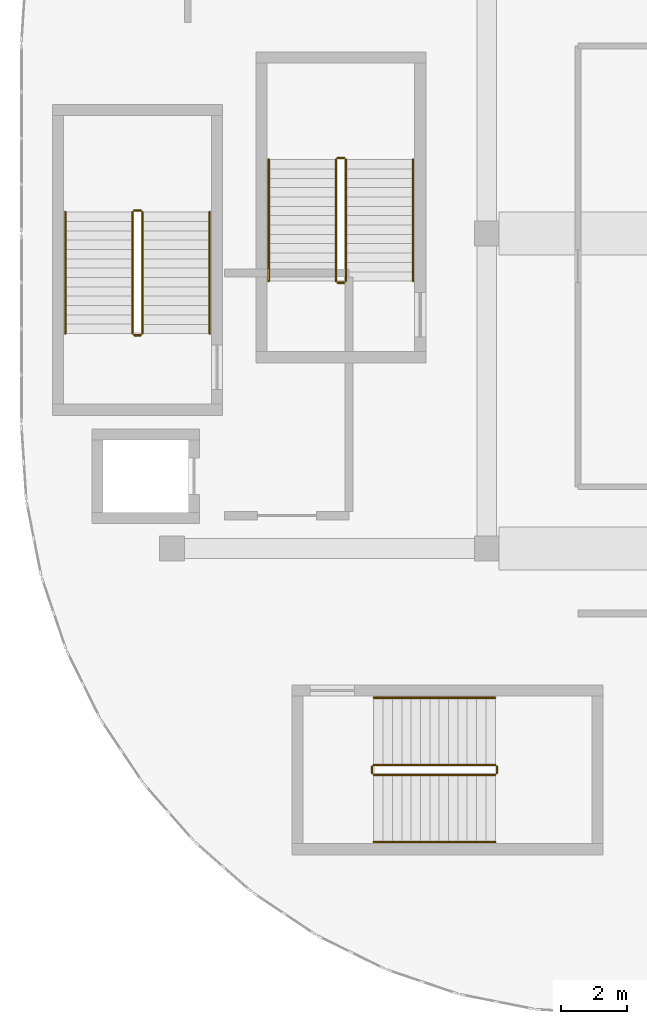
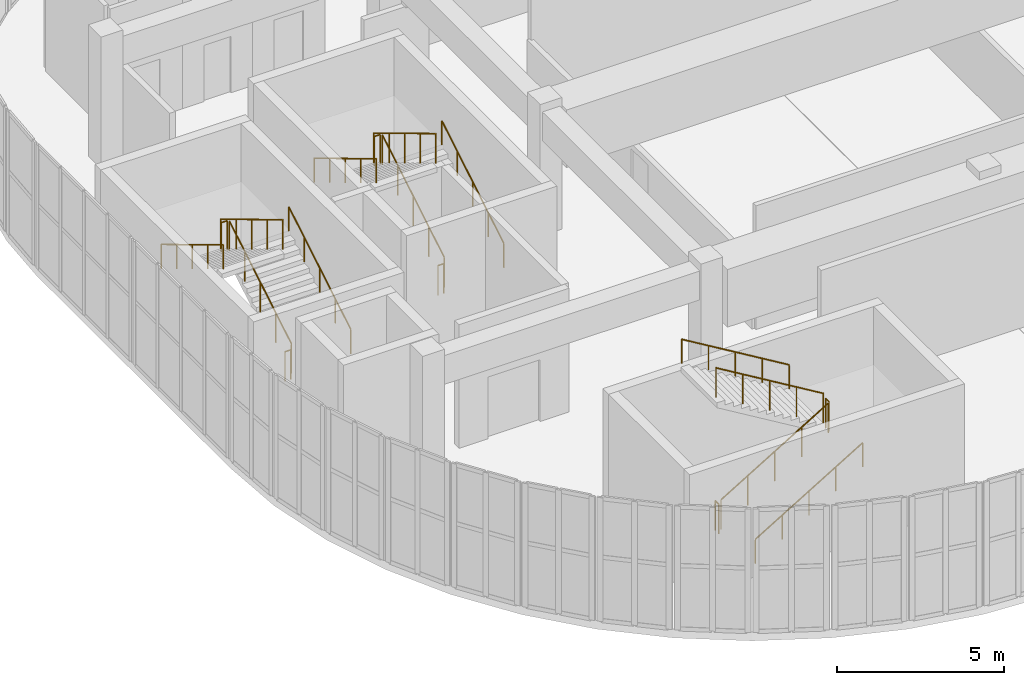
# One storey, part 25 of 28: 18 railings.
"""IFC4 building model written with IfcOpenShell, lengths in metres."""

from ifc_helpers import new_model, si_unit, direction, frame, origin, origin_2d, place, context, subcontext, project, spatial, circle, extrude, material, type_object, element, save


model = new_model("IFC4")

# Units and contexts
model_context = context("Model", 3, precision=1e-05, world=origin(), true_north=direction((0.0, 1.0)))
body_context = subcontext(model_context, "Body", "Model", "MODEL_VIEW")
ifc_project = project(units=[si_unit("LENGTHUNIT", "METRE"), si_unit("AREAUNIT", "SQUARE_METRE"), si_unit("VOLUMEUNIT", "CUBIC_METRE"), si_unit("PLANEANGLEUNIT", "RADIAN"), si_unit("MASSUNIT", "GRAM", prefix="KILO")], contexts=[model_context])

# Site, building, storey
site_placement = place(None, origin())
site = spatial("IfcSite", under=ifc_project, at=site_placement, CompositionType="ELEMENT")
building_placement = place(site_placement, origin())
building = spatial("IfcBuilding", under=site, at=building_placement, Name="Cendralis Terraced Arcade", CompositionType="ELEMENT")
storey_placement = place(building_placement, frame((0.0, 0.0, 24.60009765625)))
storey = spatial("IfcBuildingStorey", under=building, at=storey_placement, Name="L05", CompositionType="ELEMENT", Elevation=24.60009765625)

# Railings
ifc_material = material(Name="Brushed stainless steel AISI 316", Category="steel")
railing_type_1 = type_object("IfcRailingType", Name="RL-STAIR-GUARD-1100", PredefinedType="GUARDRAIL", material=ifc_material)
railing_1_placement = place(storey_placement, frame((8.699951171875, 25.75, 0.17138671875)))
element("IfcRailing", 1, at=railing_1_placement, inside=storey, type_object=railing_type_1, Name="L05 ST-01 stair guard 1", PredefinedType="GUARDRAIL", context=body_context, shape_type="SweptSolid", body=[
    extrude(circle(Radius=0.02392578125, at=origin_2d()), frame((0.0, 0.0, 1.076171875), z_axis=(0.0, 0.856934400257, 0.515425487977), x_axis=(-1.0, 0.0, 0.0)), (0.0, 0.0, 1.0), 4.32373046875),
    extrude(circle(Radius=0.02099609375, at=origin_2d()), origin(), (0.0, 0.0, 1.0), 1.052001953125),
    extrude(circle(Radius=0.02099609375, at=origin_2d()), frame((0.0, 0.92626953125, 0.55712890625)), (0.0, 0.0, 1.0), 1.052001953125),
    extrude(circle(Radius=0.02099609375, at=origin_2d()), frame((0.0, 1.8525390625, 1.1142578125)), (0.0, 0.0, 1.0), 1.052001953125),
    extrude(circle(Radius=0.02099609375, at=origin_2d()), frame((0.0, 2.77880859375, 1.67138671875)), (0.0, 0.0, 1.0), 1.052001953125),
    extrude(circle(Radius=0.02099609375, at=origin_2d()), frame((0.0, 3.705078125, 2.228515625)), (0.0, 0.0, 1.0), 1.052001953125),
])
railing_2_placement = place(storey_placement, frame((8.64990234375, 29.5048828125, 2.39990234375)))
element("IfcRailing", 2, at=railing_2_placement, inside=storey, type_object=railing_type_1, Name="L05 ST-01 stair guard 2", PredefinedType="GUARDRAIL", context=body_context, shape_type="SweptSolid", body=[
    extrude(circle(Radius=0.02392578125, at=origin_2d()), frame((0.0, 0.0, 1.076171875), z_axis=(-1.0, 0.0, 0.0), x_axis=(0.0, -1.0, 0.0)), (0.0, 0.0, 1.0), 0.199951171875),
    extrude(circle(Radius=0.02099609375, at=origin_2d()), origin(), (0.0, 0.0, 1.0), 1.052001953125),
    extrude(circle(Radius=0.02099609375, at=origin_2d()), frame((-0.199951171875, 0.0, 0.0)), (0.0, 0.0, 1.0), 1.052001953125),
])
railing_3_placement = place(storey_placement, frame((8.39990234375, 29.455078125, 2.5712890625)))
element("IfcRailing", 3, at=railing_3_placement, inside=storey, type_object=railing_type_1, Name="L05 ST-01 stair guard 3", PredefinedType="GUARDRAIL", context=body_context, shape_type="SweptSolid", body=[
    extrude(circle(Radius=0.02392578125, at=origin_2d()), frame((0.0, 0.0, 1.076171875), z_axis=(0.0, -0.856934400257, 0.515425487977), x_axis=(1.0, 0.0, 0.0)), (0.0, 0.0, 1.0), 4.32373046875),
    extrude(circle(Radius=0.02099609375, at=origin_2d()), origin(), (0.0, 0.0, 1.0), 1.052001953125),
    extrude(circle(Radius=0.02099609375, at=origin_2d()), frame((0.0, -0.92626953125, 0.55712890625)), (0.0, 0.0, 1.0), 1.052001953125),
    extrude(circle(Radius=0.02099609375, at=origin_2d()), frame((0.0, -1.8525390625, 1.1142578125)), (0.0, 0.0, 1.0), 1.052001953125),
    extrude(circle(Radius=0.02099609375, at=origin_2d()), frame((0.0, -2.77880859375, 1.67138671875)), (0.0, 0.0, 1.0), 1.052001953125),
    extrude(circle(Radius=0.02099609375, at=origin_2d()), frame((0.0, -3.705078125, 2.228515625)), (0.0, 0.0, 1.0), 1.052001953125),
])
railing_4_placement = place(storey_placement, frame((8.64990234375, 25.699951171875, 0.0)))
element("IfcRailing", 4, at=railing_4_placement, inside=storey, type_object=railing_type_1, Name="L05 ST-01 stair guard 4", PredefinedType="GUARDRAIL", context=body_context, shape_type="SweptSolid", body=[
    extrude(circle(Radius=0.02392578125, at=origin_2d()), frame((0.0, 0.0, 1.076171875), z_axis=(-1.0, 0.0, 0.0), x_axis=(0.0, -1.0, 0.0)), (0.0, 0.0, 1.0), 0.199951171875),
    extrude(circle(Radius=0.02099609375, at=origin_2d()), origin(), (0.0, 0.0, 1.0), 1.052001953125),
    extrude(circle(Radius=0.02099609375, at=origin_2d()), frame((-0.199951171875, 0.0, 0.0)), (0.0, 0.0, 1.0), 1.052001953125),
])
railing_5_placement = place(storey_placement, frame((15.75, 12.300048828125, 0.17138671875)))
element("IfcRailing", 5, at=railing_5_placement, inside=storey, type_object=railing_type_1, Name="L05 ST-02 stair guard 1", PredefinedType="GUARDRAIL", context=body_context, shape_type="SweptSolid", body=[
    extrude(circle(Radius=0.02392578125, at=origin_2d()), frame((0.0, 0.0, 1.076171875), z_axis=(0.856934400257, 0.0, 0.515425487977), x_axis=(0.0, 1.0, 0.0)), (0.0, 0.0, 1.0), 4.32373046875),
    extrude(circle(Radius=0.02099609375, at=origin_2d()), origin(), (0.0, 0.0, 1.0), 1.052001953125),
    extrude(circle(Radius=0.02099609375, at=origin_2d()), frame((0.92626953125, 0.0, 0.55712890625)), (0.0, 0.0, 1.0), 1.052001953125),
    extrude(circle(Radius=0.02099609375, at=origin_2d()), frame((1.8525390625, 0.0, 1.1142578125)), (0.0, 0.0, 1.0), 1.052001953125),
    extrude(circle(Radius=0.02099609375, at=origin_2d()), frame((2.77880859375, 0.0, 1.67138671875)), (0.0, 0.0, 1.0), 1.052001953125),
    extrude(circle(Radius=0.02099609375, at=origin_2d()), frame((3.705078125, 0.0, 2.228515625)), (0.0, 0.0, 1.0), 1.052001953125),
])
railing_6_placement = place(storey_placement, frame((19.5048828125, 12.35009765625, 2.39990234375)))
element("IfcRailing", 6, at=railing_6_placement, inside=storey, type_object=railing_type_1, Name="L05 ST-02 stair guard 2", PredefinedType="GUARDRAIL", context=body_context, shape_type="SweptSolid", body=[
    extrude(circle(Radius=0.02392578125, at=origin_2d()), frame((0.0, 0.0, 1.076171875), z_axis=(0.0, 1.0, 0.0), x_axis=(-1.0, 0.0, 0.0)), (0.0, 0.0, 1.0), 0.199951171875),
    extrude(circle(Radius=0.02099609375, at=origin_2d()), origin(), (0.0, 0.0, 1.0), 1.052001953125),
    extrude(circle(Radius=0.02099609375, at=origin_2d()), frame((0.0, 0.199951171875, 0.0)), (0.0, 0.0, 1.0), 1.052001953125),
])
railing_7_placement = place(storey_placement, frame((19.455078125, 12.60009765625, 2.5712890625)))
element("IfcRailing", 7, at=railing_7_placement, inside=storey, type_object=railing_type_1, Name="L05 ST-02 stair guard 3", PredefinedType="GUARDRAIL", context=body_context, shape_type="SweptSolid", body=[
    extrude(circle(Radius=0.02392578125, at=origin_2d()), frame((0.0, 0.0, 1.076171875), z_axis=(-0.856934400257, 0.0, 0.515425487977), x_axis=(0.0, -1.0, 0.0)), (0.0, 0.0, 1.0), 4.32373046875),
    extrude(circle(Radius=0.02099609375, at=origin_2d()), origin(), (0.0, 0.0, 1.0), 1.052001953125),
    extrude(circle(Radius=0.02099609375, at=origin_2d()), frame((-0.92626953125, 0.0, 0.55712890625)), (0.0, 0.0, 1.0), 1.052001953125),
    extrude(circle(Radius=0.02099609375, at=origin_2d()), frame((-1.8525390625, 0.0, 1.1142578125)), (0.0, 0.0, 1.0), 1.052001953125),
    extrude(circle(Radius=0.02099609375, at=origin_2d()), frame((-2.77880859375, 0.0, 1.67138671875)), (0.0, 0.0, 1.0), 1.052001953125),
    extrude(circle(Radius=0.02099609375, at=origin_2d()), frame((-3.705078125, 0.0, 2.228515625)), (0.0, 0.0, 1.0), 1.052001953125),
])
railing_8_placement = place(storey_placement, frame((15.699951171875, 12.35009765625, 0.0)))
element("IfcRailing", 8, at=railing_8_placement, inside=storey, type_object=railing_type_1, Name="L05 ST-02 stair guard 4", PredefinedType="GUARDRAIL", context=body_context, shape_type="SweptSolid", body=[
    extrude(circle(Radius=0.02392578125, at=origin_2d()), frame((0.0, 0.0, 1.076171875), z_axis=(0.0, 1.0, 0.0), x_axis=(-1.0, 0.0, 0.0)), (0.0, 0.0, 1.0), 0.199951171875),
    extrude(circle(Radius=0.02099609375, at=origin_2d()), origin(), (0.0, 0.0, 1.0), 1.052001953125),
    extrude(circle(Radius=0.02099609375, at=origin_2d()), frame((0.0, 0.199951171875, 0.0)), (0.0, 0.0, 1.0), 1.052001953125),
])
railing_9_placement = place(storey_placement, frame((14.89990234375, 27.35009765625, 0.17138671875)))
element("IfcRailing", 9, at=railing_9_placement, inside=storey, type_object=railing_type_1, Name="L05 ST-05 stair guard 1", PredefinedType="GUARDRAIL", context=body_context, shape_type="SweptSolid", body=[
    extrude(circle(Radius=0.02392578125, at=origin_2d()), frame((0.0, 0.0, 1.076171875), z_axis=(0.0, 0.856919398105, 0.515450429384), x_axis=(-1.0, 0.0, 0.0)), (0.0, 0.0, 1.0), 4.323486328125),
    extrude(circle(Radius=0.02099609375, at=origin_2d()), origin(), (0.0, 0.0, 1.0), 1.052001953125),
    extrude(circle(Radius=0.02099609375, at=origin_2d()), frame((0.0, 0.92626953125, 0.55712890625)), (0.0, 0.0, 1.0), 1.052001953125),
    extrude(circle(Radius=0.02099609375, at=origin_2d()), frame((0.0, 1.8525390625, 1.1142578125)), (0.0, 0.0, 1.0), 1.052001953125),
    extrude(circle(Radius=0.02099609375, at=origin_2d()), frame((0.0, 2.778564453125, 1.67138671875)), (0.0, 0.0, 1.0), 1.052001953125),
    extrude(circle(Radius=0.02099609375, at=origin_2d()), frame((0.0, 3.704833984375, 2.228515625)), (0.0, 0.0, 1.0), 1.052001953125),
])
railing_10_placement = place(storey_placement, frame((14.85009765625, 31.10498046875, 2.39990234375)))
element("IfcRailing", 10, at=railing_10_placement, inside=storey, type_object=railing_type_1, Name="L05 ST-05 stair guard 2", PredefinedType="GUARDRAIL", context=body_context, shape_type="SweptSolid", body=[
    extrude(circle(Radius=0.02392578125, at=origin_2d()), frame((0.0, 0.0, 1.076171875), z_axis=(-1.0, 0.0, 0.0), x_axis=(0.0, -1.0, 0.0)), (0.0, 0.0, 1.0), 0.2001953125),
    extrude(circle(Radius=0.02099609375, at=origin_2d()), origin(), (0.0, 0.0, 1.0), 1.052001953125),
    extrude(circle(Radius=0.02099609375, at=origin_2d()), frame((-0.2001953125, 0.0, 0.0)), (0.0, 0.0, 1.0), 1.052001953125),
])
railing_11_placement = place(storey_placement, frame((14.60009765625, 31.054931640625, 2.5712890625)))
element("IfcRailing", 11, at=railing_11_placement, inside=storey, type_object=railing_type_1, Name="L05 ST-05 stair guard 3", PredefinedType="GUARDRAIL", context=body_context, shape_type="SweptSolid", body=[
    extrude(circle(Radius=0.02392578125, at=origin_2d()), frame((0.0, 0.0, 1.076171875), z_axis=(0.0, -0.856919398105, 0.515450429384), x_axis=(1.0, 0.0, 0.0)), (0.0, 0.0, 1.0), 4.323486328125),
    extrude(circle(Radius=0.02099609375, at=origin_2d()), origin(), (0.0, 0.0, 1.0), 1.052001953125),
    extrude(circle(Radius=0.02099609375, at=origin_2d()), frame((0.0, -0.92626953125, 0.55712890625)), (0.0, 0.0, 1.0), 1.052001953125),
    extrude(circle(Radius=0.02099609375, at=origin_2d()), frame((0.0, -1.8525390625, 1.1142578125)), (0.0, 0.0, 1.0), 1.052001953125),
    extrude(circle(Radius=0.02099609375, at=origin_2d()), frame((0.0, -2.778564453125, 1.67138671875)), (0.0, 0.0, 1.0), 1.052001953125),
    extrude(circle(Radius=0.02099609375, at=origin_2d()), frame((0.0, -3.704833984375, 2.228515625)), (0.0, 0.0, 1.0), 1.052001953125),
])
railing_12_placement = place(storey_placement, frame((14.85009765625, 27.300048828125, 0.0)))
element("IfcRailing", 12, at=railing_12_placement, inside=storey, type_object=railing_type_1, Name="L05 ST-05 stair guard 4", PredefinedType="GUARDRAIL", context=body_context, shape_type="SweptSolid", body=[
    extrude(circle(Radius=0.02392578125, at=origin_2d()), frame((0.0, 0.0, 1.076171875), z_axis=(-1.0, 0.0, 0.0), x_axis=(0.0, -1.0, 0.0)), (0.0, 0.0, 1.0), 0.2001953125),
    extrude(circle(Radius=0.02099609375, at=origin_2d()), origin(), (0.0, 0.0, 1.0), 1.052001953125),
    extrude(circle(Radius=0.02099609375, at=origin_2d()), frame((-0.2001953125, 0.0, 0.0)), (0.0, 0.0, 1.0), 1.052001953125),
])
railing_type_2 = type_object("IfcRailingType", Name="RL-STAIR-HAND-900", PredefinedType="HANDRAIL", material=ifc_material)
railing_13_placement = place(storey_placement, frame((10.75, 25.75, 0.17138671875)))
element("IfcRailing", 13, at=railing_13_placement, inside=storey, type_object=railing_type_2, Name="L05 ST-01 stair handrail 1", PredefinedType="HANDRAIL", context=body_context, shape_type="SweptSolid", body=[
    extrude(circle(Radius=0.02392578125, at=origin_2d()), frame((0.0, 0.0, 0.8759765625), z_axis=(0.0, 0.856934400257, 0.515425487977), x_axis=(-1.0, 0.0, 0.0)), (0.0, 0.0, 1.0), 4.32373046875),
    extrude(circle(Radius=0.02099609375, at=origin_2d()), origin(), (0.0, 0.0, 1.0), 0.851806640625),
    extrude(circle(Radius=0.02099609375, at=origin_2d()), frame((0.0, 0.92626953125, 0.55712890625)), (0.0, 0.0, 1.0), 0.851806640625),
    extrude(circle(Radius=0.02099609375, at=origin_2d()), frame((0.0, 1.8525390625, 1.1142578125)), (0.0, 0.0, 1.0), 0.851806640625),
    extrude(circle(Radius=0.02099609375, at=origin_2d()), frame((0.0, 2.77880859375, 1.67138671875)), (0.0, 0.0, 1.0), 0.851806640625),
    extrude(circle(Radius=0.02099609375, at=origin_2d()), frame((0.0, 3.705078125, 2.228515625)), (0.0, 0.0, 1.0), 0.851806640625),
])
railing_14_placement = place(storey_placement, frame((6.35009765625, 29.455078125, 2.5712890625)))
element("IfcRailing", 14, at=railing_14_placement, inside=storey, type_object=railing_type_2, Name="L05 ST-01 stair handrail 2", PredefinedType="HANDRAIL", context=body_context, shape_type="SweptSolid", body=[
    extrude(circle(Radius=0.02392578125, at=origin_2d()), frame((0.0, 0.0, 0.8759765625), z_axis=(0.0, -0.856934400257, 0.515425487977), x_axis=(1.0, 0.0, 0.0)), (0.0, 0.0, 1.0), 4.32373046875),
    extrude(circle(Radius=0.02099609375, at=origin_2d()), origin(), (0.0, 0.0, 1.0), 0.851806640625),
    extrude(circle(Radius=0.02099609375, at=origin_2d()), frame((0.0, -0.92626953125, 0.55712890625)), (0.0, 0.0, 1.0), 0.851806640625),
    extrude(circle(Radius=0.02099609375, at=origin_2d()), frame((0.0, -1.8525390625, 1.1142578125)), (0.0, 0.0, 1.0), 0.851806640625),
    extrude(circle(Radius=0.02099609375, at=origin_2d()), frame((0.0, -2.77880859375, 1.67138671875)), (0.0, 0.0, 1.0), 0.851806640625),
    extrude(circle(Radius=0.02099609375, at=origin_2d()), frame((0.0, -3.705078125, 2.228515625)), (0.0, 0.0, 1.0), 0.851806640625),
])
railing_15_placement = place(storey_placement, frame((15.75, 10.25, 0.17138671875)))
element("IfcRailing", 15, at=railing_15_placement, inside=storey, type_object=railing_type_2, Name="L05 ST-02 stair handrail 1", PredefinedType="HANDRAIL", context=body_context, shape_type="SweptSolid", body=[
    extrude(circle(Radius=0.02392578125, at=origin_2d()), frame((0.0, 0.0, 0.8759765625), z_axis=(0.856934400257, 0.0, 0.515425487977), x_axis=(0.0, 1.0, 0.0)), (0.0, 0.0, 1.0), 4.32373046875),
    extrude(circle(Radius=0.02099609375, at=origin_2d()), origin(), (0.0, 0.0, 1.0), 0.851806640625),
    extrude(circle(Radius=0.02099609375, at=origin_2d()), frame((0.92626953125, 0.0, 0.55712890625)), (0.0, 0.0, 1.0), 0.851806640625),
    extrude(circle(Radius=0.02099609375, at=origin_2d()), frame((1.8525390625, 0.0, 1.1142578125)), (0.0, 0.0, 1.0), 0.851806640625),
    extrude(circle(Radius=0.02099609375, at=origin_2d()), frame((2.77880859375, 0.0, 1.67138671875)), (0.0, 0.0, 1.0), 0.851806640625),
    extrude(circle(Radius=0.02099609375, at=origin_2d()), frame((3.705078125, 0.0, 2.228515625)), (0.0, 0.0, 1.0), 0.851806640625),
])
railing_16_placement = place(storey_placement, frame((19.455078125, 14.64990234375, 2.5712890625)))
element("IfcRailing", 16, at=railing_16_placement, inside=storey, type_object=railing_type_2, Name="L05 ST-02 stair handrail 2", PredefinedType="HANDRAIL", context=body_context, shape_type="SweptSolid", body=[
    extrude(circle(Radius=0.02392578125, at=origin_2d()), frame((0.0, 0.0, 0.8759765625), z_axis=(-0.856934400257, 0.0, 0.515425487977), x_axis=(0.0, -1.0, 0.0)), (0.0, 0.0, 1.0), 4.32373046875),
    extrude(circle(Radius=0.02099609375, at=origin_2d()), origin(), (0.0, 0.0, 1.0), 0.851806640625),
    extrude(circle(Radius=0.02099609375, at=origin_2d()), frame((-0.92626953125, 0.0, 0.55712890625)), (0.0, 0.0, 1.0), 0.851806640625),
    extrude(circle(Radius=0.02099609375, at=origin_2d()), frame((-1.8525390625, 0.0, 1.1142578125)), (0.0, 0.0, 1.0), 0.851806640625),
    extrude(circle(Radius=0.02099609375, at=origin_2d()), frame((-2.77880859375, 0.0, 1.67138671875)), (0.0, 0.0, 1.0), 0.851806640625),
    extrude(circle(Radius=0.02099609375, at=origin_2d()), frame((-3.705078125, 0.0, 2.228515625)), (0.0, 0.0, 1.0), 0.851806640625),
])
railing_17_placement = place(storey_placement, frame((16.949951171875, 27.35009765625, 0.17138671875)))
element("IfcRailing", 17, at=railing_17_placement, inside=storey, type_object=railing_type_2, Name="L05 ST-05 stair handrail 1", PredefinedType="HANDRAIL", context=body_context, shape_type="SweptSolid", body=[
    extrude(circle(Radius=0.02392578125, at=origin_2d()), frame((0.0, 0.0, 0.8759765625), z_axis=(0.0, 0.856919398105, 0.515450429384), x_axis=(-1.0, 0.0, 0.0)), (0.0, 0.0, 1.0), 4.323486328125),
    extrude(circle(Radius=0.02099609375, at=origin_2d()), origin(), (0.0, 0.0, 1.0), 0.851806640625),
    extrude(circle(Radius=0.02099609375, at=origin_2d()), frame((0.0, 0.92626953125, 0.55712890625)), (0.0, 0.0, 1.0), 0.851806640625),
    extrude(circle(Radius=0.02099609375, at=origin_2d()), frame((0.0, 1.8525390625, 1.1142578125)), (0.0, 0.0, 1.0), 0.851806640625),
    extrude(circle(Radius=0.02099609375, at=origin_2d()), frame((0.0, 2.778564453125, 1.67138671875)), (0.0, 0.0, 1.0), 0.851806640625),
    extrude(circle(Radius=0.02099609375, at=origin_2d()), frame((0.0, 3.704833984375, 2.228515625)), (0.0, 0.0, 1.0), 0.851806640625),
])
railing_18_placement = place(storey_placement, frame((12.550048828125, 31.054931640625, 2.5712890625)))
element("IfcRailing", 18, at=railing_18_placement, inside=storey, type_object=railing_type_2, Name="L05 ST-05 stair handrail 2", PredefinedType="HANDRAIL", context=body_context, shape_type="SweptSolid", body=[
    extrude(circle(Radius=0.02392578125, at=origin_2d()), frame((0.0, 0.0, 0.8759765625), z_axis=(0.0, -0.856919398105, 0.515450429384), x_axis=(1.0, 0.0, 0.0)), (0.0, 0.0, 1.0), 4.323486328125),
    extrude(circle(Radius=0.02099609375, at=origin_2d()), origin(), (0.0, 0.0, 1.0), 0.851806640625),
    extrude(circle(Radius=0.02099609375, at=origin_2d()), frame((0.0, -0.92626953125, 0.55712890625)), (0.0, 0.0, 1.0), 0.851806640625),
    extrude(circle(Radius=0.02099609375, at=origin_2d()), frame((0.0, -1.8525390625, 1.1142578125)), (0.0, 0.0, 1.0), 0.851806640625),
    extrude(circle(Radius=0.02099609375, at=origin_2d()), frame((0.0, -2.778564453125, 1.67138671875)), (0.0, 0.0, 1.0), 0.851806640625),
    extrude(circle(Radius=0.02099609375, at=origin_2d()), frame((0.0, -3.704833984375, 2.228515625)), (0.0, 0.0, 1.0), 0.851806640625),
])

save(model, "model.ifc")
